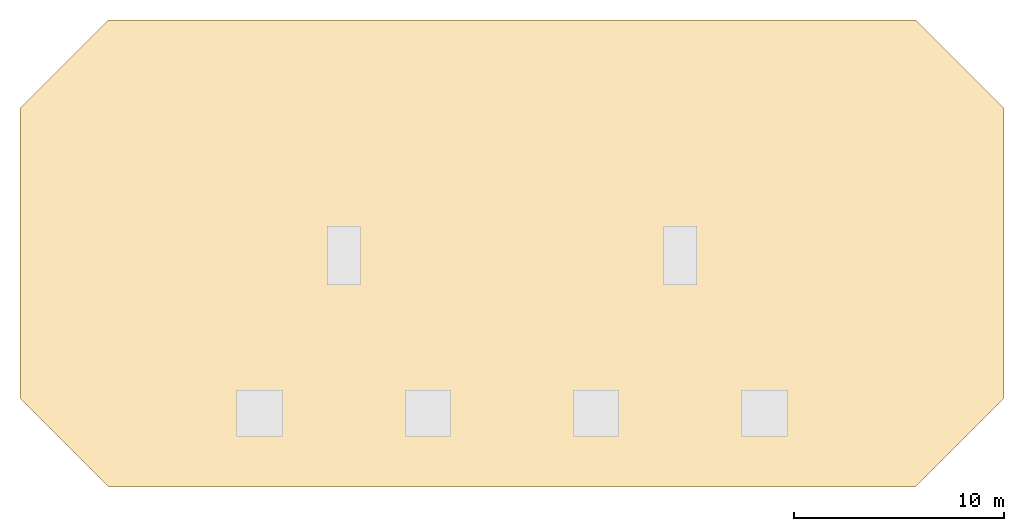
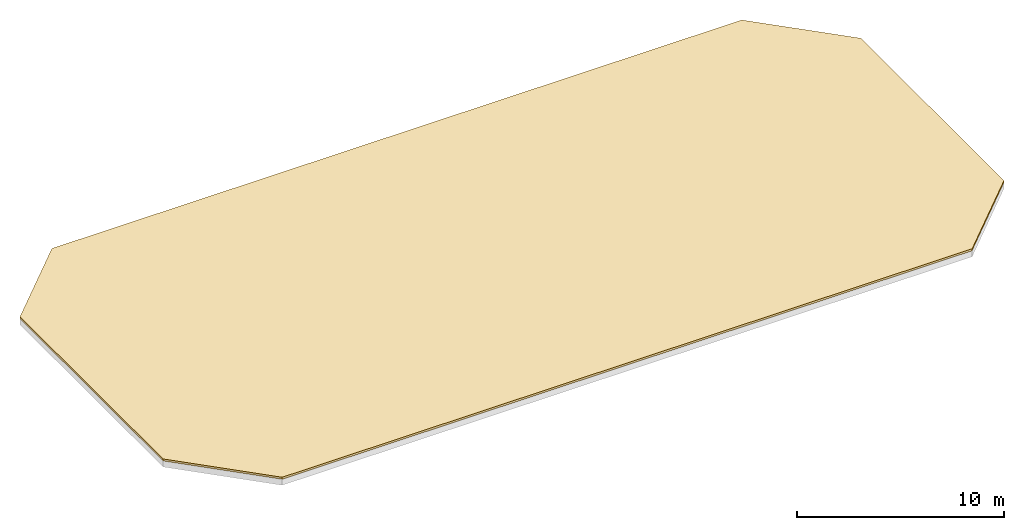
# One storey, part 2 of 2: 1 covering.
"""IFC4 building model written with IfcOpenShell, lengths in metres."""

from ifc_helpers import new_model, si_unit, direction, frame, origin, place, context, subcontext, project, spatial, polyline, outline, extrude, material, layer, layer_set, type_object, element, save


model = new_model("IFC4")

# Units and contexts
model_context = context("Model", 3, precision=1e-05, world=origin(), true_north=direction((0.0, 1.0)))
body_context = subcontext(model_context, "Body", "Model", "MODEL_VIEW")
ifc_project = project(units=[si_unit("LENGTHUNIT", "METRE"), si_unit("AREAUNIT", "SQUARE_METRE"), si_unit("VOLUMEUNIT", "CUBIC_METRE"), si_unit("PLANEANGLEUNIT", "RADIAN"), si_unit("MASSUNIT", "GRAM", prefix="KILO")], contexts=[model_context])

# Site, building, storey
site_placement = place(None, origin())
site = spatial("IfcSite", under=ifc_project, at=site_placement, CompositionType="ELEMENT")
building_placement = place(site_placement, origin())
building = spatial("IfcBuilding", under=site, at=building_placement, Name="Kestravale Grand Hotel", CompositionType="ELEMENT")
storey_placement = place(building_placement, frame((0.0, 0.0, 332.35009765625)))
storey = spatial("IfcBuildingStorey", under=building, at=storey_placement, Name="Crown Roof", CompositionType="ELEMENT", Elevation=332.35009765625)

# Covering
ifc_material = material(Name="TPO reflective roofing membrane and rigid mineral-wool insulation", Category="other")
ifc_layer = layer(ifc_material, 0.1201171875)
ifc_layer_set = layer_set([ifc_layer], Name="COV-ROOF-MEM")
covering_type = type_object("IfcCoveringType", Name="COV-ROOF-MEM", PredefinedType="ROOFING", material=ifc_layer_set)
covering_placement = place(storey_placement, frame((0.0, 0.0, 0.349853515625)))
element("IfcCovering", 1, at=covering_placement, inside=storey, type_object=covering_type, Name="Roof sky-garden canopy waterproof roofing membrane", PredefinedType="ROOFING", context=body_context, shape_type="SweptSolid", body=[
    extrude(outline(polyline([(19.800048828125, 20.0), (58.199951171875, 20.0), (62.39990234375, 24.199951171875), (62.39990234375, 38.0), (58.199951171875, 42.199951171875), (19.800048828125, 42.199951171875), (15.60009765625, 38.0), (15.60009765625, 24.199951171875), (19.800048828125, 20.0)])), origin(), (0.0, 0.0, 1.0), 0.1201171875),
])

save(model, "model.ifc")
